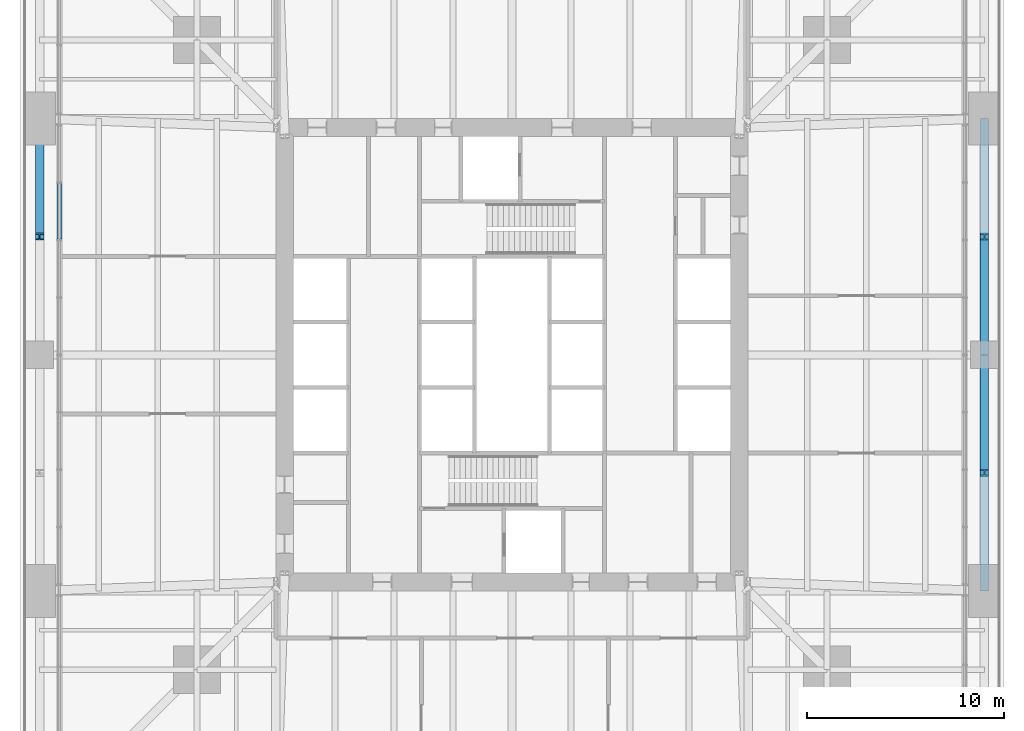
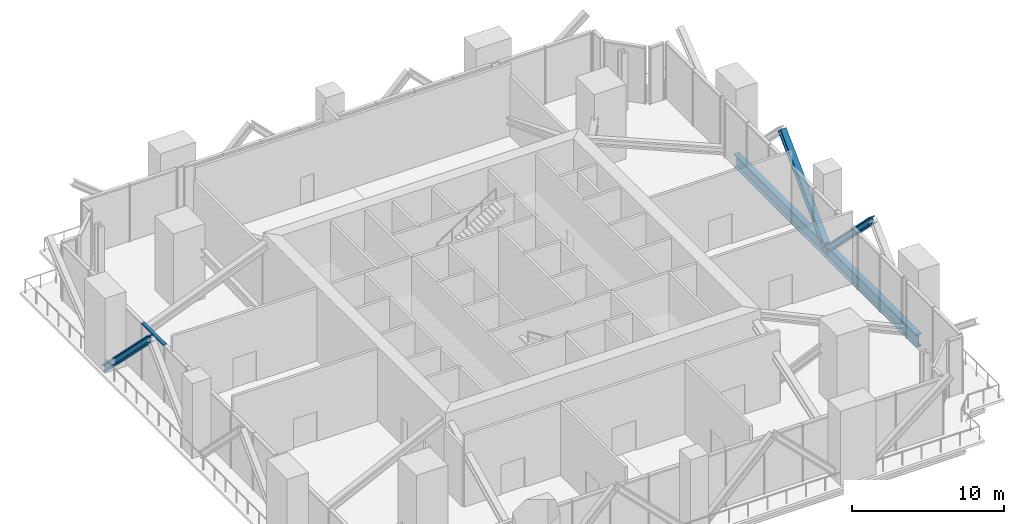
# One storey, part 5 of 13: 4 members, 2 beams, 1 element without a shape of its own.
"""IFC4 building model written with IfcOpenShell, lengths in metres."""

from ifc_helpers import new_model, si_unit, direction, frame, origin, origin_2d, place, context, subcontext, project, spatial, rectangle, i_section, extrude, material, material_profile, profile_set, type_object, element, aggregate, save


model = new_model("IFC4")

# Units and contexts
model_context = context("Model", 3, precision=1e-05, world=origin(), true_north=direction((0.0, 1.0)))
body_context = subcontext(model_context, "Body", "Model", "MODEL_VIEW")
ifc_project = project(units=[si_unit("LENGTHUNIT", "METRE"), si_unit("AREAUNIT", "SQUARE_METRE"), si_unit("VOLUMEUNIT", "CUBIC_METRE"), si_unit("PLANEANGLEUNIT", "RADIAN"), si_unit("MASSUNIT", "GRAM", prefix="KILO")], contexts=[model_context])

# Site, building, storey
site_placement = place(None, origin())
site = spatial("IfcSite", under=ifc_project, at=site_placement, CompositionType="ELEMENT")
building_placement = place(site_placement, origin())
building = spatial("IfcBuilding", under=site, at=building_placement, Name="Fenwick Lantern Interchange", CompositionType="ELEMENT")
storey_placement = place(building_placement, frame((0.0, 0.0, 91.0)))
storey = spatial("IfcBuildingStorey", under=building, at=storey_placement, Name="L21", CompositionType="ELEMENT", Elevation=91.0)

# Members
ifc_material_1 = material(Name="Steel ASTM A992 Grade 50", Category="steel")
ifc_material_profile_1 = material_profile(ifc_material_1, i_section(OverallWidth=0.431884765625, OverallDepth=0.497802734375, WebThickness=0.0556640625, FlangeThickness=0.0888671875, at=origin_2d()), Name="W14X500")
ifc_profile_set_1 = profile_set([ifc_material_profile_1], Name="Steel ASTM A992 Grade 50")
member_type_1 = type_object("IfcMemberType", Name="BELT TRUSS DIAGONAL W14X500", PredefinedType="BRACE", material=ifc_profile_set_1)
for number, where, z_axis, x_axis, name in (
    (1, (49.0, 25.0, -0.64990234375), (0.0, -0.707106781187, 0.707106781187), (1.0, 0.0, 0.0), "L21/BT/E/D3"),
    (2, (49.0, 25.0, -0.64990234375), (0.0, 0.707106781187, 0.707106781187), (-1.0, 0.0, 0.0), "L21/BT/E/D4"),
    (3, (1.0, 37.0, -0.64990234375), (0.0, -0.707106781187, 0.707106781187), (1.0, 0.0, 0.0), "L21/BT/W/D2"),
):
    element("IfcMember", number, at=place(storey_placement, frame(where, z_axis=z_axis, x_axis=x_axis)), inside=storey, type_object=member_type_1, Name=name, PredefinedType="BRACE", context=body_context, shape_type="SweptSolid", body=[
        extrude(i_section(OverallWidth=0.431884765625, OverallDepth=0.497802734375, WebThickness=0.0556640625, FlangeThickness=0.0888671875, at=origin_2d()), origin(), (0.0, 0.0, 1.0), 8.4853515625),
    ])

# Beams
ifc_material_profile_2 = material_profile(ifc_material_1, i_section(OverallWidth=0.408935546875, OverallDepth=1.04150390625, WebThickness=0.031005859375, FlangeThickness=0.055908203125, at=origin_2d()), Name="W40X397")
ifc_profile_set_2 = profile_set([ifc_material_profile_2], Name="Steel ASTM A992 Grade 50")
beam_type = type_object("IfcBeamType", Name="EDGE BEAM W40X397", PredefinedType="SPANDREL", material=ifc_profile_set_2)
for number, where, z_axis, x_axis, name in (
    (4, (49.0, 13.0, -0.720703125), (0.0, 1.0, 0.0), (-1.0, 0.0, 0.0), "L21/FR/E/EB2"),
    (5, (49.0, 25.0, -0.720703125), (0.0, 1.0, 0.0), (-1.0, 0.0, 0.0), "L21/FR/E/EB3"),
):
    element("IfcBeam", number, at=place(storey_placement, frame(where, z_axis=z_axis, x_axis=x_axis)), inside=storey, type_object=beam_type, Name=name, PredefinedType="SPANDREL", context=body_context, shape_type="SweptSolid", body=[
        extrude(i_section(OverallWidth=0.408935546875, OverallDepth=1.04150390625, WebThickness=0.031005859375, FlangeThickness=0.055908203125, at=origin_2d()), origin(), (0.0, 0.0, 1.0), 12.0),
    ])

# Curtain wall, member
ifc_material_2 = material(Name="Aluminium curtain wall frame", Category="aluminium")
curtain_wall_type = type_object("IfcCurtainWallType", Name="PLANT LOUVRE SCREEN", PredefinedType="USERDEFINED", material=ifc_material_2)
curtain_wall_placement = place(storey_placement, origin())
curtain_wall = element("IfcCurtainWall", 6, at=curtain_wall_placement, inside=storey, type_object=curtain_wall_type, Name="Plant louvre screen 12B", ObjectType="PLANT LOUVRE SCREEN", PredefinedType="USERDEFINED")
ifc_material_3 = material(Name="Aluminium extrusion", Category="aluminium")
ifc_material_profile_3 = material_profile(ifc_material_3, rectangle(XDim=0.25, YDim=0.1201171875, at=origin_2d()), Name="PLANT LOUVRE SCREEN TRANSOM 120 X 250")
ifc_profile_set_3 = profile_set([ifc_material_profile_3], Name="Aluminium extrusion")
member_type_2 = type_object("IfcMemberType", Name="PLANT LOUVRE SCREEN TRANSOM 120 X 250", PredefinedType="MULLION", material=ifc_profile_set_3)
member_placement = place(storey_placement, frame((2.0, 33.724609375, 4.5400390625), z_axis=(0.0, -1.0, 0.0), x_axis=(1.0, 0.0, 0.0)))
member = element("IfcMember", 7, at=member_placement, type_object=member_type_2, Name="L21/CW/12B/T01", PredefinedType="MULLION", context=body_context, shape_type="SweptSolid", body=[
    extrude(rectangle(XDim=0.25, YDim=0.1201171875, at=origin_2d()), origin(), (0.0, 0.0, 1.0), 2.845703125),
])
aggregate(curtain_wall, [member])

save(model, "model.ifc")
